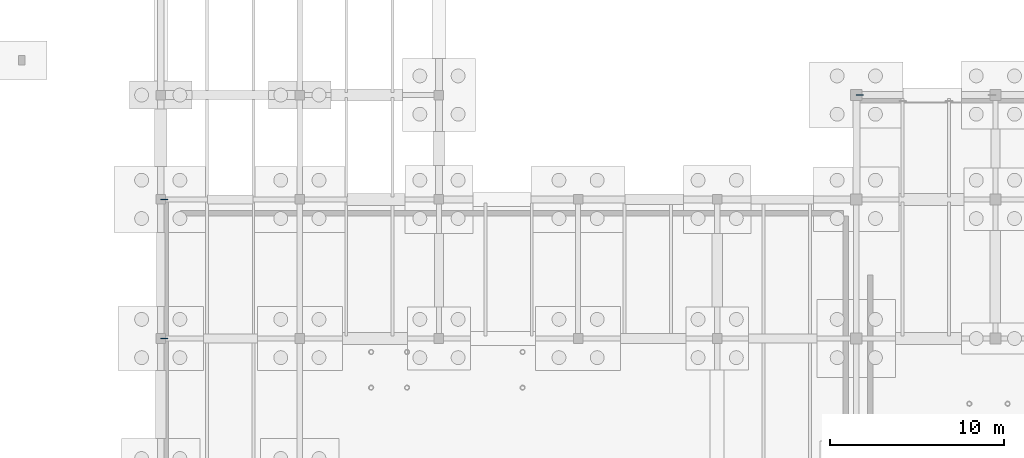
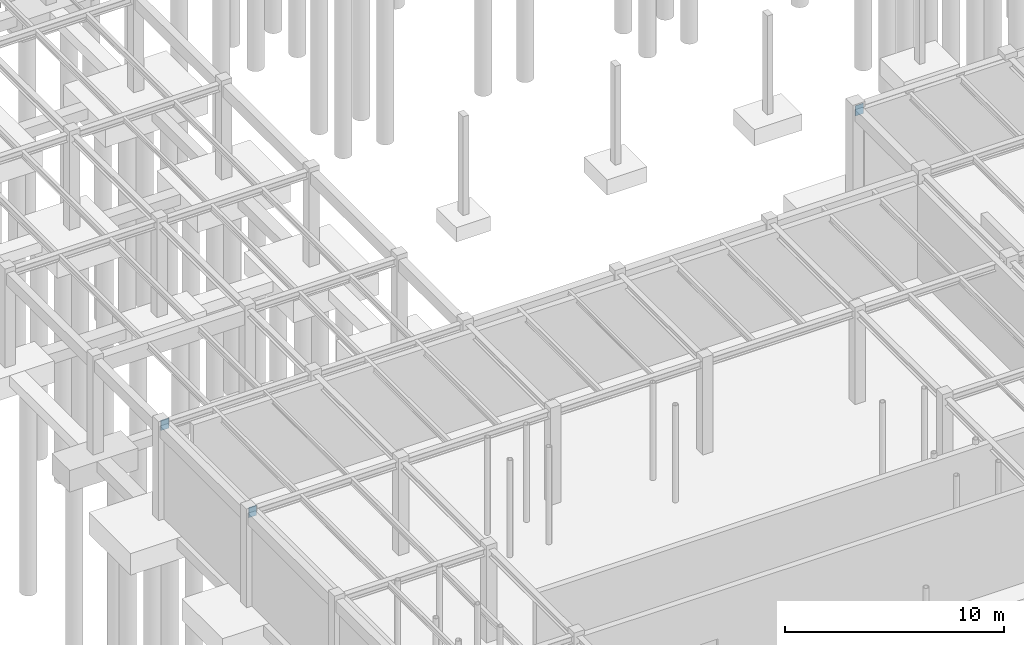
# One storey, part 35 of 71: 3 plates.
"""IFC4 building model written with IfcOpenShell, lengths in metres."""

from ifc_helpers import new_model, si_unit, direction, frame, origin, origin_2d, place, context, subcontext, project, spatial, rectangle, extrude, material, layer, layer_set, type_object, element, save


model = new_model("IFC4")

# Units and contexts
model_context = context("Model", 3, precision=1e-05, world=origin(), true_north=direction((0.0, 1.0)))
body_context = subcontext(model_context, "Body", "Model", "MODEL_VIEW")
ifc_project = project(units=[si_unit("LENGTHUNIT", "METRE"), si_unit("AREAUNIT", "SQUARE_METRE"), si_unit("VOLUMEUNIT", "CUBIC_METRE"), si_unit("PLANEANGLEUNIT", "RADIAN"), si_unit("MASSUNIT", "GRAM", prefix="KILO")], contexts=[model_context])

# Site, building, storey
site_placement = place(None, origin())
site = spatial("IfcSite", under=ifc_project, at=site_placement, CompositionType="ELEMENT")
building_placement = place(site_placement, origin())
building = spatial("IfcBuilding", under=site, at=building_placement, Name="Sundkrona Museum", CompositionType="ELEMENT")
storey_placement = place(building_placement, frame((0.0, 0.0, -5.39990234375)))
storey = spatial("IfcBuildingStorey", under=building, at=storey_placement, Name="B1", CompositionType="ELEMENT", Elevation=-5.39990234375)

# Plates
ifc_material = material(Name="Steel S355J2", Category="steel")
ifc_layer = layer(ifc_material, 0.034912109375)
ifc_layer_set = layer_set([ifc_layer], Name="Steel S355J2")
plate_type = type_object("IfcPlateType", Name="EP-1", PredefinedType="USERDEFINED", material=ifc_layer_set)
for number, where, z_axis, x_axis, name in (
    (1, (80.199951171875, 32.0, 4.659912109375), (0.0, 0.0, 1.0), (1.0, 0.0, 0.0), "Structural Wall Cast-In Embed Plate BM-B1-X-0038-1"),
    (2, (80.199951171875, 40.0, 4.659912109375), (0.0, 0.0, 1.0), (1.0, 0.0, 0.0), "Structural Wall Cast-In Embed Plate BM-B1-X-0051-1"),
    (3, (120.199951171875, 46.0, 4.514892578125), (0.0, 0.0, 1.0), (1.0, 0.0, 0.0), "Structural Wall Cast-In Embed Plate BM-B1-X-0065-1"),
):
    element("IfcPlate", number, at=place(storey_placement, frame(where, z_axis=z_axis, x_axis=x_axis)), inside=storey, type_object=plate_type, Name=name, ObjectType="GUSSET PLATE", PredefinedType="USERDEFINED", context=body_context, shape_type="SweptSolid", body=[
        extrude(rectangle(XDim=0.419921875, YDim=0.034912109375, at=origin_2d()), origin(), (0.0, 0.0, 1.0), 0.56005859375),
    ])

save(model, "model.ifc")
